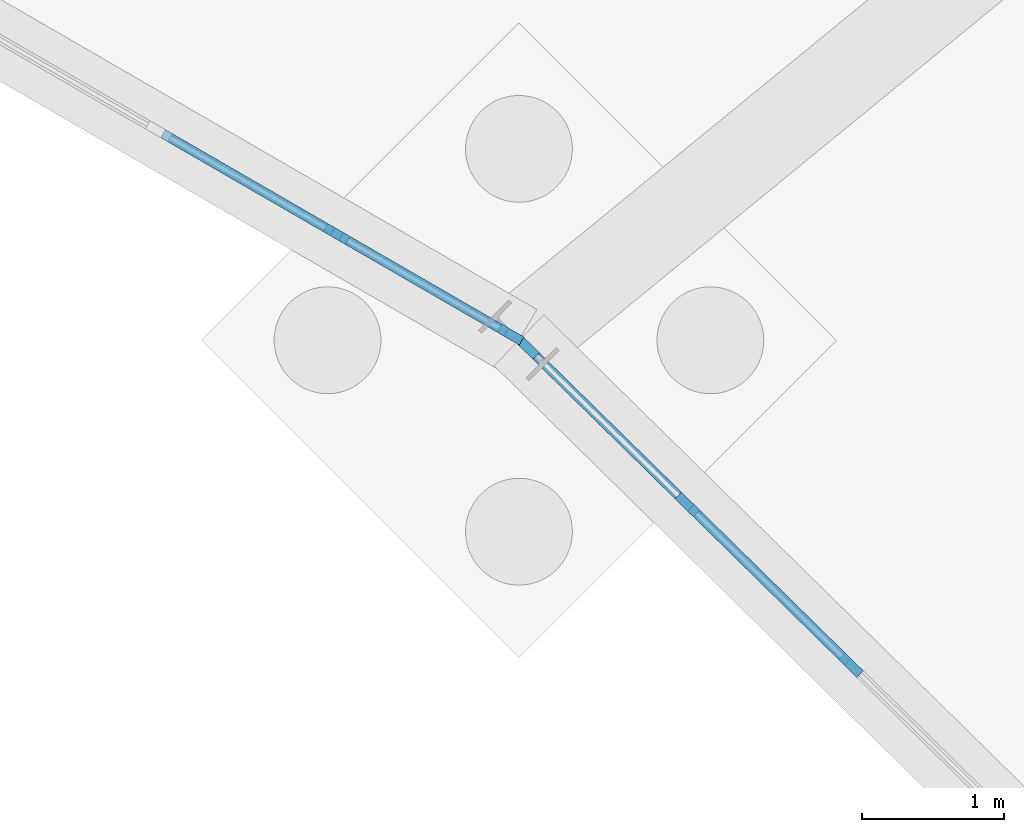
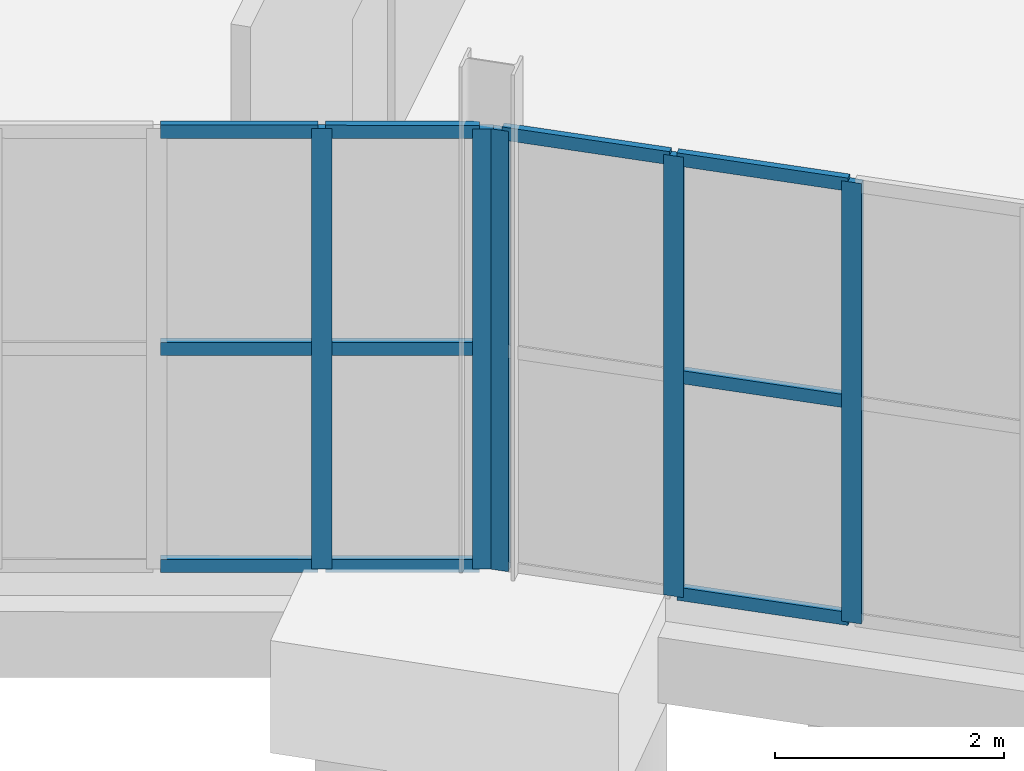
# One storey, part 68 of 118: 15 members, 2 elements without a shape of their own.
"""IFC4 building model written with IfcOpenShell, lengths in metres."""

from ifc_helpers import new_model, si_unit, direction, frame, origin, origin_2d, place, context, subcontext, project, spatial, rectangle, extrude, material, material_profile, profile_set, type_object, element, aggregate, save


model = new_model("IFC4")

# Units and contexts
model_context = context("Model", 3, precision=1e-05, world=origin(), true_north=direction((0.0, 1.0)))
body_context = subcontext(model_context, "Body", "Model", "MODEL_VIEW")
ifc_project = project(units=[si_unit("LENGTHUNIT", "METRE"), si_unit("AREAUNIT", "SQUARE_METRE"), si_unit("VOLUMEUNIT", "CUBIC_METRE"), si_unit("PLANEANGLEUNIT", "RADIAN"), si_unit("MASSUNIT", "GRAM", prefix="KILO")], contexts=[model_context])

# Site, building, storey
site_placement = place(None, origin())
site = spatial("IfcSite", under=ifc_project, at=site_placement, CompositionType="ELEMENT")
building_placement = place(site_placement, origin())
building = spatial("IfcBuilding", under=site, at=building_placement, Name="Kildeholm Park Wholesale Market", CompositionType="ELEMENT")
storey_placement = place(building_placement, origin())
storey = spatial("IfcBuildingStorey", under=building, at=storey_placement, Name="L00", CompositionType="ELEMENT", Elevation=0.0)

# Curtain wall, members
ifc_material_1 = material(Name="Anodised aluminium and low-E double-glazed glass", Category="aluminium")
curtain_wall_type = type_object("IfcCurtainWallType", Name="Market hall glazed arcade stick curtain wall CW-01", PredefinedType="NOTDEFINED", material=ifc_material_1)
curtain_wall_1_placement = place(storey_placement, origin())
curtain_wall_1 = element("IfcCurtainWall", 1, at=curtain_wall_1_placement, inside=storey, type_object=curtain_wall_type, Name="Curtain wall CW-V1-IN0-02 CW-0013", PredefinedType="NOTDEFINED")
ifc_material_2 = material(Name="Anodised aluminium", Category="aluminium")
ifc_material_profile_1 = material_profile(ifc_material_2, rectangle(XDim=0.06494140625, YDim=0.179931640625, at=origin_2d()), Name="CWM 65x180")
ifc_profile_set_1 = profile_set([ifc_material_profile_1], Name="Anodised aluminium")
member_type_1 = type_object("IfcMemberType", Name="Curtain-wall mullion CWM-1 CWM 65x180", PredefinedType="MULLION", material=ifc_profile_set_1)
member_1_placement = place(storey_placement, frame((127.14013671875, 106.664306640625, 0.0), z_axis=(0.0, 0.0, 1.0), x_axis=(-0.700616534607, -0.713537995789, 0.0)))
member_1 = element("IfcMember", 2, at=member_1_placement, type_object=member_type_1, Name="CW-01 mullion 4 MEM-0713", PredefinedType="MULLION", context=body_context, shape_type="SweptSolid", body=[
    extrude(rectangle(XDim=0.06494140625, YDim=0.179931640625, at=origin_2d()), origin(), (0.0, 0.0, 1.0), 4.699951171875),
])
member_2_placement = place(storey_placement, frame((125.99169921875, 107.792236328125, 0.0), z_axis=(0.0, 0.0, 1.0), x_axis=(-0.700616534607, -0.713537995789, 0.0)))
member_2 = element("IfcMember", 3, at=member_2_placement, type_object=member_type_1, Name="CW-01 mullion 5 MEM-0714", PredefinedType="MULLION", context=body_context, shape_type="SweptSolid", body=[
    extrude(rectangle(XDim=0.06494140625, YDim=0.179931640625, at=origin_2d()), origin(), (0.0, 0.0, 1.0), 4.699951171875),
])
member_3_placement = place(storey_placement, frame((124.8662109375, 108.897216796875, 0.0), z_axis=(0.0, 0.0, 1.0), x_axis=(-0.700616534607, -0.713537995789, 0.0)))
member_3 = element("IfcMember", 4, at=member_3_placement, type_object=member_type_1, Name="CW-01 mullion 6 MEM-0715", PredefinedType="MULLION", context=body_context, shape_type="SweptSolid", body=[
    extrude(rectangle(XDim=0.06494140625, YDim=0.179931640625, at=origin_2d()), origin(), (0.0, 0.0, 1.0), 4.699951171875),
])

curtain_wall_2_placement = place(storey_placement, origin())
curtain_wall_2 = element("IfcCurtainWall", 5, at=curtain_wall_2_placement, inside=storey, type_object=curtain_wall_type, Name="Curtain wall CW-V1-IN0-03 CW-0018", PredefinedType="NOTDEFINED")
member_4_placement = place(storey_placement, frame((124.749755859375, 108.9853515625, 0.0), z_axis=(0.0, 0.0, 1.0), x_axis=(-0.500489412982, -0.865742656621, 0.0)))
member_4 = element("IfcMember", 6, at=member_4_placement, type_object=member_type_1, Name="CW-01 mullion 1 MEM-0843", PredefinedType="MULLION", context=body_context, shape_type="SweptSolid", body=[
    extrude(rectangle(XDim=0.06494140625, YDim=0.179931640625, at=origin_2d()), origin(), (0.0, 0.0, 1.0), 4.699951171875),
])
member_5_placement = place(storey_placement, frame((123.52978515625, 109.690673828125, 0.0), z_axis=(0.0, 0.0, 1.0), x_axis=(-0.500489412982, -0.865742656621, 0.0)))
member_5 = element("IfcMember", 7, at=member_5_placement, type_object=member_type_1, Name="CW-01 mullion 2 MEM-0844", PredefinedType="MULLION", context=body_context, shape_type="SweptSolid", body=[
    extrude(rectangle(XDim=0.06494140625, YDim=0.179931640625, at=origin_2d()), origin(), (0.0, 0.0, 1.0), 4.699951171875),
])

# Member
ifc_material_profile_2 = material_profile(ifc_material_2, rectangle(XDim=0.06494140625, YDim=0.139892578125, at=origin_2d()), Name="CWT 65x140")
ifc_profile_set_2 = profile_set([ifc_material_profile_2], Name="Anodised aluminium")
member_type_2 = type_object("IfcMemberType", Name="Curtain-wall transom CWT-1 CWT 65x140", PredefinedType="USERDEFINED", material=ifc_profile_set_2)
member_6_placement = place(storey_placement, frame((127.116943359375, 106.687255859375, 0.032470703125), z_axis=(-0.713479202212, 0.700676407489, 0.0), x_axis=(-0.700676407489, -0.713479202212, 0.0)))
member_6 = element("IfcMember", 8, at=member_6_placement, type_object=member_type_2, Name="CW-01 transom 4.1 MEM-0725", ObjectType="TRANSOM", PredefinedType="USERDEFINED", context=body_context, shape_type="SweptSolid", body=[
    extrude(rectangle(XDim=0.06494140625, YDim=0.139892578125, at=origin_2d()), origin(), (0.0, 0.0, 1.0), 1.544677734375),
])

member_7_placement = place(storey_placement, frame((127.116943359375, 106.687255859375, 2.35009765625), z_axis=(-0.713479202212, 0.700676407489, 0.0), x_axis=(-0.700676407489, -0.713479202212, 0.0)))
member_7 = element("IfcMember", 9, at=member_7_placement, type_object=member_type_2, Name="CW-01 transom 4.2 MEM-0726", ObjectType="TRANSOM", PredefinedType="USERDEFINED", context=body_context, shape_type="SweptSolid", body=[
    extrude(rectangle(XDim=0.06494140625, YDim=0.139892578125, at=origin_2d()), origin(), (0.0, 0.0, 1.0), 1.544677734375),
])

member_8_placement = place(storey_placement, frame((127.116943359375, 106.687255859375, 4.66748046875), z_axis=(-0.713479202212, 0.700676407489, 0.0), x_axis=(-0.700676407489, -0.713479202212, 0.0)))
member_8 = element("IfcMember", 10, at=member_8_placement, type_object=member_type_2, Name="CW-01 transom 4.3 MEM-0727", ObjectType="TRANSOM", PredefinedType="USERDEFINED", context=body_context, shape_type="SweptSolid", body=[
    extrude(rectangle(XDim=0.06494140625, YDim=0.139892578125, at=origin_2d()), origin(), (0.0, 0.0, 1.0), 1.544677734375),
])

member_9_placement = place(storey_placement, frame((125.968505859375, 107.81494140625, 4.66748046875), z_axis=(-0.713534623197, 0.700619969384, 0.0), x_axis=(-0.700619969384, -0.713534623197, 0.0)))
member_9 = element("IfcMember", 11, at=member_9_placement, type_object=member_type_2, Name="CW-01 transom 5.3 MEM-0730", ObjectType="TRANSOM", PredefinedType="USERDEFINED", context=body_context, shape_type="SweptSolid", body=[
    extrude(rectangle(XDim=0.06494140625, YDim=0.139892578125, at=origin_2d()), origin(), (0.0, 0.0, 1.0), 1.512451171875),
])

aggregate(curtain_wall_1, [member_1, member_2, member_3, member_6, member_7, member_8, member_9])

member_10_placement = place(storey_placement, frame((124.7216796875, 109.00146484375, 0.032470703125), z_axis=(-0.86572868327, 0.500513583195, 0.0), x_axis=(-0.500513583195, -0.86572868327, 0.0)))
member_10 = element("IfcMember", 12, at=member_10_placement, type_object=member_type_2, Name="CW-01 transom 1.1 MEM-0850", ObjectType="TRANSOM", PredefinedType="USERDEFINED", context=body_context, shape_type="SweptSolid", body=[
    extrude(rectangle(XDim=0.06494140625, YDim=0.139892578125, at=origin_2d()), origin(), (0.0, 0.0, 1.0), 1.34423828125),
])

member_11_placement = place(storey_placement, frame((124.7216796875, 109.00146484375, 2.35009765625), z_axis=(-0.86572868327, 0.500513583195, 0.0), x_axis=(-0.500513583195, -0.86572868327, 0.0)))
member_11 = element("IfcMember", 13, at=member_11_placement, type_object=member_type_2, Name="CW-01 transom 1.2 MEM-0851", ObjectType="TRANSOM", PredefinedType="USERDEFINED", context=body_context, shape_type="SweptSolid", body=[
    extrude(rectangle(XDim=0.06494140625, YDim=0.139892578125, at=origin_2d()), origin(), (0.0, 0.0, 1.0), 1.34423828125),
])

member_12_placement = place(storey_placement, frame((124.7216796875, 109.00146484375, 4.66748046875), z_axis=(-0.86572868327, 0.500513583195, 0.0), x_axis=(-0.500513583195, -0.86572868327, 0.0)))
member_12 = element("IfcMember", 14, at=member_12_placement, type_object=member_type_2, Name="CW-01 transom 1.3 MEM-0852", ObjectType="TRANSOM", PredefinedType="USERDEFINED", context=body_context, shape_type="SweptSolid", body=[
    extrude(rectangle(XDim=0.06494140625, YDim=0.139892578125, at=origin_2d()), origin(), (0.0, 0.0, 1.0), 1.34423828125),
])

member_13_placement = place(storey_placement, frame((123.50146484375, 109.70703125, 0.032470703125), z_axis=(-0.86576604618, 0.500448951725, 0.0), x_axis=(-0.500448951725, -0.86576604618, 0.0)))
member_13 = element("IfcMember", 15, at=member_13_placement, type_object=member_type_2, Name="CW-01 transom 2.1 MEM-0853", ObjectType="TRANSOM", PredefinedType="USERDEFINED", context=body_context, shape_type="SweptSolid", body=[
    extrude(rectangle(XDim=0.06494140625, YDim=0.139892578125, at=origin_2d()), origin(), (0.0, 0.0, 1.0), 1.376708984375),
])

member_14_placement = place(storey_placement, frame((123.50146484375, 109.70703125, 2.35009765625), z_axis=(-0.86576604618, 0.500448951725, 0.0), x_axis=(-0.500448951725, -0.86576604618, 0.0)))
member_14 = element("IfcMember", 16, at=member_14_placement, type_object=member_type_2, Name="CW-01 transom 2.2 MEM-0854", ObjectType="TRANSOM", PredefinedType="USERDEFINED", context=body_context, shape_type="SweptSolid", body=[
    extrude(rectangle(XDim=0.06494140625, YDim=0.139892578125, at=origin_2d()), origin(), (0.0, 0.0, 1.0), 1.376708984375),
])

member_15_placement = place(storey_placement, frame((123.50146484375, 109.70703125, 4.66748046875), z_axis=(-0.86576604618, 0.500448951725, 0.0), x_axis=(-0.500448951725, -0.86576604618, 0.0)))
member_15 = element("IfcMember", 17, at=member_15_placement, type_object=member_type_2, Name="CW-01 transom 2.3 MEM-0855", ObjectType="TRANSOM", PredefinedType="USERDEFINED", context=body_context, shape_type="SweptSolid", body=[
    extrude(rectangle(XDim=0.06494140625, YDim=0.139892578125, at=origin_2d()), origin(), (0.0, 0.0, 1.0), 1.376708984375),
])

aggregate(curtain_wall_2, [member_4, member_5, member_10, member_11, member_12, member_13, member_14, member_15])

save(model, "model.ifc")
